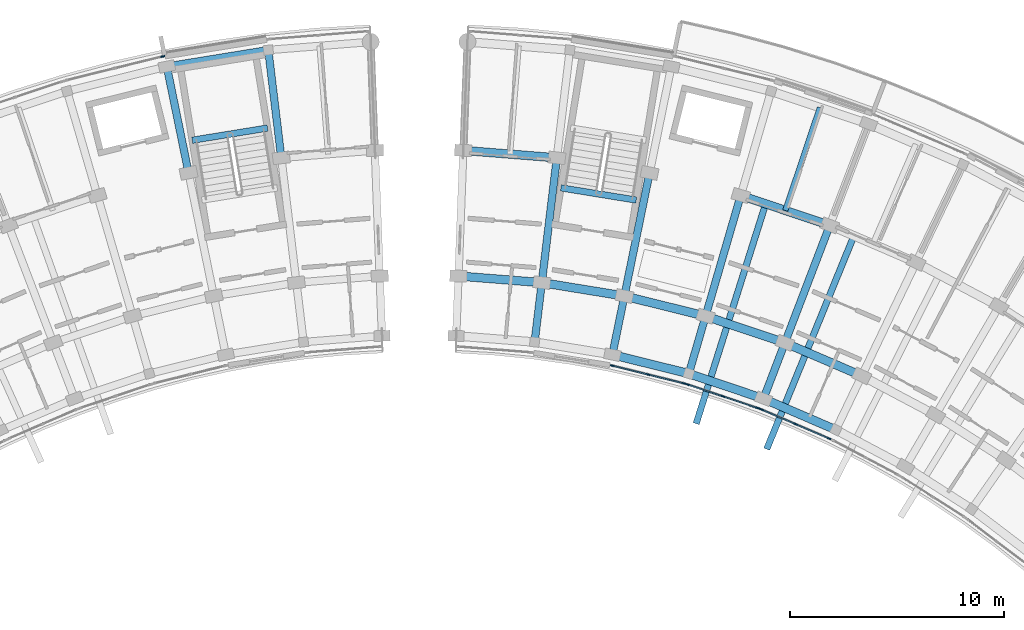
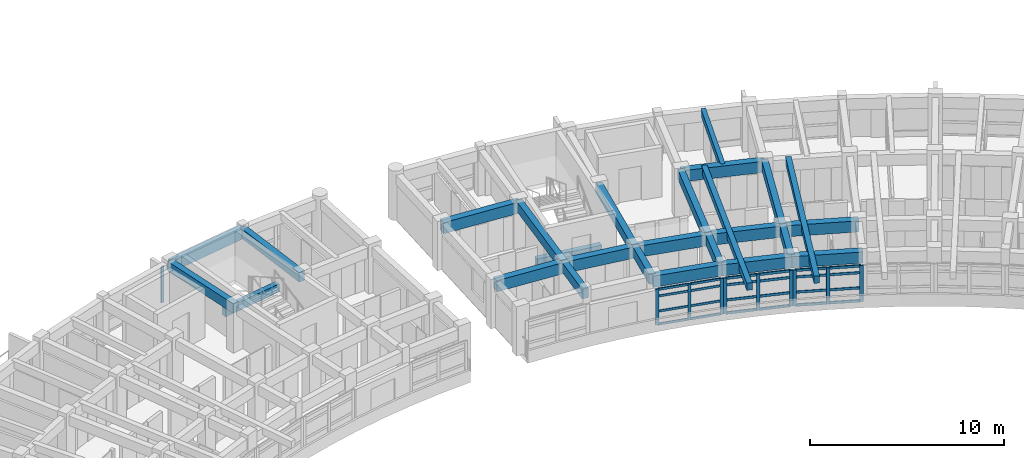
# One storey, part 7 of 55: 34 members, 26 beams, 4 elements without a shape of their own.
"""IFC4 building model written with IfcOpenShell, lengths in metres."""

from ifc_helpers import new_model, si_unit, direction, frame, origin, origin_2d, place, context, subcontext, project, spatial, rectangle, extrude, material, material_profile, profile_set, type_object, element, aggregate, save


model = new_model("IFC4")

# Units and contexts
model_context = context("Model", 3, precision=1e-05, world=origin(), true_north=direction((0.0, 1.0)))
body_context = subcontext(model_context, "Body", "Model", "MODEL_VIEW")
ifc_project = project(units=[si_unit("LENGTHUNIT", "METRE"), si_unit("AREAUNIT", "SQUARE_METRE"), si_unit("VOLUMEUNIT", "CUBIC_METRE"), si_unit("PLANEANGLEUNIT", "RADIAN"), si_unit("MASSUNIT", "GRAM", prefix="KILO")], contexts=[model_context])

# Site, building, storey
site_placement = place(None, origin())
site = spatial("IfcSite", under=ifc_project, at=site_placement, CompositionType="ELEMENT")
building_placement = place(site_placement, origin())
building = spatial("IfcBuilding", under=site, at=building_placement, Name="Zimvara Arc Housing Community", CompositionType="ELEMENT")
storey_placement = place(building_placement, frame((0.0, 0.0, 14.300048828125)))
storey = spatial("IfcBuildingStorey", under=building, at=storey_placement, Name="L04", CompositionType="ELEMENT", Elevation=14.300048828125)

# Beams
ifc_material_1 = material(Name="Concrete C40/50", Category="concrete")
ifc_material_profile_1 = material_profile(ifc_material_1, rectangle(XDim=0.25, YDim=0.449951171875, at=origin_2d()), Name="RC 250x450")
ifc_profile_set_1 = profile_set([ifc_material_profile_1], Name="Concrete C40/50")
beam_type_1 = type_object("IfcBeamType", Name="BM-RC-250x450", PredefinedType="JOIST", material=ifc_profile_set_1)
beam_1_placement = place(storey_placement, frame((62.1279296875, 95.453369140625, 2.635009765625), z_axis=(0.318607669836, 0.947886677152, 0.0), x_axis=(-0.947886677152, 0.318607669836, 0.0)))
element("IfcBeam", 1, at=beam_1_placement, inside=storey, type_object=beam_type_1, Name="bm:blkB:L04:joist:b3", PredefinedType="JOIST", context=body_context, shape_type="SweptSolid", body=[
    extrude(rectangle(XDim=0.25, YDim=0.449951171875, at=origin_2d()), origin(), (0.0, 0.0, 1.0), 5.07568359375),
])
ifc_material_2 = material(Name="Concrete C40/50", Category="concrete")
ifc_material_profile_2 = material_profile(ifc_material_2, rectangle(XDim=0.300048828125, YDim=0.449951171875, at=origin_2d()), Name="RC 300x450")
ifc_profile_set_2 = profile_set([ifc_material_profile_2], Name="Concrete C40/50")
beam_type_2 = type_object("IfcBeamType", Name="BM-RC-300x450", PredefinedType="JOIST", material=ifc_profile_set_2)
beam_2_placement = place(storey_placement, frame((61.22314453125, 95.795654296875, 2.6650390625), z_axis=(-0.301541693036, -0.953452991689, 0.0), x_axis=(0.953452991689, -0.301541693036, 0.0)))
element("IfcBeam", 2, at=beam_2_placement, inside=storey, type_object=beam_type_2, Name="bm:blkB:L04:cant_in:b3", PredefinedType="JOIST", context=body_context, shape_type="SweptSolid", body=[
    extrude(rectangle(XDim=0.300048828125, YDim=0.449951171875, at=origin_2d()), origin(), (0.0, 0.0, 1.0), 10.820068359375),
])
beam_3_placement = place(storey_placement, frame((65.354248046875, 94.301025390625, 2.6650390625), z_axis=(-0.378332343777, -0.92566983188, 0.0), x_axis=(0.92566983188, -0.378332343777, 0.0)))
element("IfcBeam", 3, at=beam_3_placement, inside=storey, type_object=beam_type_2, Name="bm:blkB:L04:cant_in:b4", PredefinedType="JOIST", context=body_context, shape_type="SweptSolid", body=[
    extrude(rectangle(XDim=0.300048828125, YDim=0.449951171875, at=origin_2d()), origin(), (0.0, 0.0, 1.0), 10.81982421875),
])
ifc_material_3 = material(Name="Concrete C40/50", Category="concrete")
ifc_material_profile_3 = material_profile(ifc_material_3, rectangle(XDim=0.300048828125, YDim=0.5, at=origin_2d()), Name="RC 300x500")
ifc_profile_set_3 = profile_set([ifc_material_profile_3], Name="Concrete C40/50")
beam_type_3 = type_object("IfcBeamType", Name="BM-RC-300x500", PredefinedType="BEAM", material=ifc_profile_set_3)
for number, where, z_axis, x_axis, name in (
    (4, (37.911865234375, 99.307373046875, 1.300048828125), (-0.987080057935, -0.160227835371, 0.0), (0.160227835371, -0.987080057935, 0.0), "bm:stair_trim:ST-A2:L04:mid"),
    (5, (55.15771484375, 95.93701171875, -0.25), (-0.987080057935, 0.160227835371, 0.0), (-0.160227835371, -0.987080057935, 0.0), "bm:stair_trim:ST-B1:L04:near"),
):
    element("IfcBeam", number, at=place(storey_placement, frame(where, z_axis=z_axis, x_axis=x_axis)), inside=storey, type_object=beam_type_3, Name=name, PredefinedType="BEAM", context=body_context, shape_type="SweptSolid", body=[
        extrude(rectangle(XDim=0.300048828125, YDim=0.5, at=origin_2d()), origin(), (0.0, 0.0, 1.0), 3.570068359375),
    ])
ifc_material_4 = material(Name="Concrete C40/50", Category="concrete")
ifc_material_profile_4 = material_profile(ifc_material_4, rectangle(XDim=0.35009765625, YDim=0.60009765625, at=origin_2d()), Name="RC 350x600")
ifc_profile_set_4 = profile_set([ifc_material_profile_4], Name="Concrete C40/50")
beam_type_4 = type_object("IfcBeamType", Name="BM-RC-350x600", PredefinedType="BEAM", material=ifc_profile_set_4)
beam_4_placement = place(storey_placement, frame((34.21875, 97.208740234375, 2.56005859375), z_axis=(-0.200411962389, 0.97971171542, 0.0), x_axis=(-0.97971171542, -0.200411962389, 0.0)))
element("IfcBeam", 6, at=beam_4_placement, inside=storey, type_object=beam_type_4, Name="bm:blkA:L04:rad:b8:r23", PredefinedType="BEAM", context=body_context, shape_type="SweptSolid", body=[
    extrude(rectangle(XDim=0.35009765625, YDim=0.60009765625, at=origin_2d()), origin(), (0.0, 0.0, 1.0), 5.079833984375),
])
beam_5_placement = place(storey_placement, frame((38.55517578125, 97.91259765625, 2.56005859375), z_axis=(-0.119762990499, 0.99280251113, 0.0), x_axis=(-0.99280251113, -0.119762990499, 0.0)))
element("IfcBeam", 7, at=beam_5_placement, inside=storey, type_object=beam_type_4, Name="bm:blkA:L04:rad:b9:r23", PredefinedType="BEAM", context=body_context, shape_type="SweptSolid", body=[
    extrude(rectangle(XDim=0.35009765625, YDim=0.60009765625, at=origin_2d()), origin(), (0.0, 0.0, 1.0), 5.080078125),
])
beam_6_placement = place(storey_placement, frame((50.405029296875, 89.295166015625, 2.56005859375), z_axis=(0.119719398078, 0.992807768767, 0.0), x_axis=(-0.992807768767, 0.119719398078, 0.0)))
element("IfcBeam", 8, at=beam_6_placement, inside=storey, type_object=beam_type_4, Name="bm:blkB:L04:rad:b1:r01", PredefinedType="BEAM", context=body_context, shape_type="SweptSolid", body=[
    extrude(rectangle(XDim=0.35009765625, YDim=0.60009765625, at=origin_2d()), origin(), (0.0, 0.0, 1.0), 2.7998046875),
])
beam_7_placement = place(storey_placement, frame((50.740234375, 92.074951171875, 2.56005859375), z_axis=(0.119827921695, 0.992794676246, 0.0), x_axis=(-0.992794676246, 0.119827921695, 0.0)))
element("IfcBeam", 9, at=beam_7_placement, inside=storey, type_object=beam_type_4, Name="bm:blkB:L04:rad:b1:r12", PredefinedType="BEAM", context=body_context, shape_type="SweptSolid", body=[
    extrude(rectangle(XDim=0.35009765625, YDim=0.60009765625, at=origin_2d()), origin(), (0.0, 0.0, 1.0), 5.880126953125),
])
beam_8_placement = place(storey_placement, frame((54.041748046875, 88.704833984375, 2.56005859375), z_axis=(0.20037341071, 0.979719600845, 0.0), x_axis=(-0.979719600845, 0.20037341071, 0.0)))
element("IfcBeam", 10, at=beam_8_placement, inside=storey, type_object=beam_type_4, Name="bm:blkB:L04:rad:b2:r01", PredefinedType="BEAM", context=body_context, shape_type="SweptSolid", body=[
    extrude(rectangle(XDim=0.35009765625, YDim=0.60009765625, at=origin_2d()), origin(), (0.0, 0.0, 1.0), 2.800048828125),
])
beam_9_placement = place(storey_placement, frame((54.602783203125, 91.447998046875, 2.56005859375), z_axis=(0.200417973989, 0.979710485655, 0.0), x_axis=(-0.979710485655, 0.200417973989, 0.0)))
element("IfcBeam", 11, at=beam_9_placement, inside=storey, type_object=beam_type_4, Name="bm:blkB:L04:rad:b2:r12", PredefinedType="BEAM", context=body_context, shape_type="SweptSolid", body=[
    extrude(rectangle(XDim=0.35009765625, YDim=0.60009765625, at=origin_2d()), origin(), (0.0, 0.0, 1.0), 5.880126953125),
])
beam_10_placement = place(storey_placement, frame((57.618408203125, 87.819580078125, 2.56005859375), z_axis=(0.279635015525, 0.960106378529, 0.0), x_axis=(-0.960106378529, 0.279635015525, 0.0)))
element("IfcBeam", 12, at=beam_10_placement, inside=storey, type_object=beam_type_4, Name="bm:blkB:L04:rad:b3:r01", PredefinedType="BEAM", context=body_context, shape_type="SweptSolid", body=[
    extrude(rectangle(XDim=0.35009765625, YDim=0.60009765625, at=origin_2d()), origin(), (0.0, 0.0, 1.0), 2.800048828125),
])
beam_11_placement = place(storey_placement, frame((58.4013671875, 90.5078125, 2.56005859375), z_axis=(0.27967473749, 0.960094808449, 0.0), x_axis=(-0.960094808449, 0.27967473749, 0.0)))
element("IfcBeam", 13, at=beam_11_placement, inside=storey, type_object=beam_type_4, Name="bm:blkB:L04:rad:b3:r12", PredefinedType="BEAM", context=body_context, shape_type="SweptSolid", body=[
    extrude(rectangle(XDim=0.35009765625, YDim=0.60009765625, at=origin_2d()), origin(), (0.0, 0.0, 1.0), 5.880126953125),
])
beam_12_placement = place(storey_placement, frame((61.11083984375, 86.645751953125, 2.56005859375), z_axis=(0.357079289134, 0.934074076972, 0.0), x_axis=(-0.934074076972, 0.357079289134, 0.0)))
element("IfcBeam", 14, at=beam_12_placement, inside=storey, type_object=beam_type_4, Name="bm:blkB:L04:rad:b4:r01", PredefinedType="BEAM", context=body_context, shape_type="SweptSolid", body=[
    extrude(rectangle(XDim=0.35009765625, YDim=0.60009765625, at=origin_2d()), origin(), (0.0, 0.0, 1.0), 2.7998046875),
])
beam_13_placement = place(storey_placement, frame((62.110595703125, 89.260986328125, 2.56005859375), z_axis=(0.357036247742, 0.934090529766, 0.0), x_axis=(-0.934090529766, 0.357036247742, 0.0)))
element("IfcBeam", 15, at=beam_13_placement, inside=storey, type_object=beam_type_4, Name="bm:blkB:L04:rad:b4:r12", PredefinedType="BEAM", context=body_context, shape_type="SweptSolid", body=[
    extrude(rectangle(XDim=0.35009765625, YDim=0.60009765625, at=origin_2d()), origin(), (0.0, 0.0, 1.0), 5.8798828125),
])
ifc_material_5 = material(Name="Concrete C40/50", Category="concrete")
ifc_material_profile_5 = material_profile(ifc_material_5, rectangle(XDim=0.35009765625, YDim=0.64990234375, at=origin_2d()), Name="RC 350x650")
ifc_profile_set_5 = profile_set([ifc_material_profile_5], Name="Concrete C40/50")
beam_type_5 = type_object("IfcBeamType", Name="BM-RC-350x650", PredefinedType="BEAM", material=ifc_profile_set_5)
beam_14_placement = place(storey_placement, frame((33.20068359375, 102.185546875, 2.534912109375), z_axis=(0.987076839731, 0.160247659784, 0.0), x_axis=(-0.160247659784, 0.987076839731, 0.0)))
element("IfcBeam", 16, at=beam_14_placement, inside=storey, type_object=beam_type_5, Name="bm:blkA:L04:chord:r3:b8", PredefinedType="BEAM", context=body_context, shape_type="SweptSolid", body=[
    extrude(rectangle(XDim=0.35009765625, YDim=0.64990234375, at=origin_2d()), origin(), (0.0, 0.0, 1.0), 4.808349609375),
])
ifc_material_6 = material(Name="Concrete C40/50", Category="concrete")
ifc_material_profile_6 = material_profile(ifc_material_6, rectangle(XDim=0.39990234375, YDim=0.699951171875, at=origin_2d()), Name="RC 400x700")
ifc_profile_set_6 = profile_set([ifc_material_profile_6], Name="Concrete C40/50")
beam_type_6 = type_object("IfcBeamType", Name="BM-RC-400x700", PredefinedType="BEAM", material=ifc_profile_set_6)
beam_15_placement = place(storey_placement, frame((54.041748046875, 88.704833984375, 2.510009765625), z_axis=(0.970708886215, -0.240258731837, 0.0), x_axis=(0.240258731837, 0.970708886215, 0.0)))
element("IfcBeam", 17, at=beam_15_placement, inside=storey, type_object=beam_type_6, Name="bm:blkB:L04:chord:r0:b2", PredefinedType="BEAM", context=body_context, shape_type="SweptSolid", body=[
    extrude(rectangle(XDim=0.39990234375, YDim=0.699951171875, at=origin_2d()), origin(), (0.0, 0.0, 1.0), 3.6845703125),
])
for number, where, z_axis, x_axis, name in (
    (18, (57.618408203125, 87.819580078125, 2.510009765625), (0.94789181932, -0.31859237101, 0.0), (0.31859237101, 0.94789181932, 0.0), "bm:blkB:L04:chord:r0:b3"),
    (19, (61.11083984375, 86.645751953125, 2.510009765625), (0.918705736243, -0.394942742932, 0.0), (0.394942742932, 0.918705736243, 0.0), "bm:blkB:L04:chord:r0:b4"),
):
    element("IfcBeam", number, at=place(storey_placement, frame(where, z_axis=z_axis, x_axis=x_axis)), inside=storey, type_object=beam_type_6, Name=name, PredefinedType="BEAM", context=body_context, shape_type="SweptSolid", body=[
        extrude(rectangle(XDim=0.39990234375, YDim=0.699951171875, at=origin_2d()), origin(), (0.0, 0.0, 1.0), 3.684326171875),
    ])
beam_16_placement = place(storey_placement, frame((46.839599609375, 92.384765625, 2.510009765625), z_axis=(0.99686054795, -0.079177319606, 0.0), x_axis=(0.079177319606, 0.99686054795, 0.0)))
element("IfcBeam", 20, at=beam_16_placement, inside=storey, type_object=beam_type_6, Name="bm:blkB:L04:chord:r1:b0", PredefinedType="BEAM", context=body_context, shape_type="SweptSolid", body=[
    extrude(rectangle(XDim=0.39990234375, YDim=0.699951171875, at=origin_2d()), origin(), (0.0, 0.0, 1.0), 3.912841796875),
])
for number, where, z_axis, x_axis, name in (
    (21, (50.740234375, 92.074951171875, 2.510009765625), (0.987081487371, -0.160219029111, 0.0), (0.160219029111, 0.987081487371, 0.0), "bm:blkB:L04:chord:r1:b1"),
    (22, (54.602783203125, 91.447998046875, 2.510009765625), (0.970708671682, -0.240259598602, 0.0), (0.240259598602, 0.970708671682, 0.0), "bm:blkB:L04:chord:r1:b2"),
    (23, (58.4013671875, 90.5078125, 2.510009765625), (0.947881689069, -0.31862250945, 0.0), (0.31862250945, 0.947881689069, 0.0), "bm:blkB:L04:chord:r1:b3"),
    (24, (62.110595703125, 89.260986328125, 2.510009765625), (0.91873144242, -0.394882940514, 0.0), (0.394882940514, 0.91873144242, 0.0), "bm:blkB:L04:chord:r1:b4"),
):
    element("IfcBeam", number, at=place(storey_placement, frame(where, z_axis=z_axis, x_axis=x_axis)), inside=storey, type_object=beam_type_6, Name=name, PredefinedType="BEAM", context=body_context, shape_type="SweptSolid", body=[
        extrude(rectangle(XDim=0.39990234375, YDim=0.699951171875, at=origin_2d()), origin(), (0.0, 0.0, 1.0), 3.9130859375),
    ])
beam_17_placement = place(storey_placement, frame((47.065185546875, 98.26025390625, 2.510009765625), z_axis=(0.996864209836, -0.079131202119, 0.0), x_axis=(0.079131202119, 0.996864209836, 0.0)))
element("IfcBeam", 25, at=beam_17_placement, inside=storey, type_object=beam_type_6, Name="bm:blkB:L04:chord:r2:b0", PredefinedType="BEAM", context=body_context, shape_type="SweptSolid", body=[
    extrude(rectangle(XDim=0.39990234375, YDim=0.699951171875, at=origin_2d()), origin(), (0.0, 0.0, 1.0), 4.393310546875),
])
beam_18_placement = place(storey_placement, frame((60.0458984375, 96.1533203125, 2.510009765625), z_axis=(0.947868796036, -0.318660862832, 0.0), x_axis=(0.318660862832, 0.947868796036, 0.0)))
element("IfcBeam", 26, at=beam_18_placement, inside=storey, type_object=beam_type_6, Name="bm:blkB:L04:chord:r2:b3", PredefinedType="BEAM", context=body_context, shape_type="SweptSolid", body=[
    extrude(rectangle(XDim=0.39990234375, YDim=0.699951171875, at=origin_2d()), origin(), (0.0, 0.0, 1.0), 4.39306640625),
])

# Curtain wall, members
ifc_material_7 = material(Name="Anodised Aluminium AW-6063", Category="aluminium")
curtain_wall_type_1 = type_object("IfcCurtainWallType", Name="CW-SYS-08", PredefinedType="USERDEFINED", material=ifc_material_7)
curtain_wall_1_placement = place(storey_placement, origin())
curtain_wall_1 = element("IfcCurtainWall", 27, at=curtain_wall_1_placement, inside=storey, type_object=curtain_wall_type_1, Name="cw:blkB:L04:in:b2", ObjectType="CURTAIN WALL", PredefinedType="USERDEFINED")
ifc_material_8 = material(Name="Anodised Aluminium AW-6063", Category="aluminium")
ifc_material_profile_7 = material_profile(ifc_material_8, rectangle(XDim=0.06494140625, YDim=0.179931640625, at=origin_2d()), Name="ALU 65x180")
ifc_profile_set_7 = profile_set([ifc_material_profile_7], Name="Anodised Aluminium AW-6063")
member_type_1 = type_object("IfcMemberType", Name="CWM-65x150", PredefinedType="MULLION", material=ifc_profile_set_7)
member_1_placement = place(storey_placement, frame((54.03125, 88.192626953125, 0.0), z_axis=(0.0, 0.0, 1.0), x_axis=(0.240227815706, 0.970716537698, 0.0)))
member_1 = element("IfcMember", 28, at=member_1_placement, type_object=member_type_1, Name="CW08 mullion 1", PredefinedType="MULLION", context=body_context, shape_type="SweptSolid", body=[
    extrude(rectangle(XDim=0.06494140625, YDim=0.179931640625, at=origin_2d()), origin(), (0.0, 0.0, 1.0), 2.25),
])
member_2_placement = place(storey_placement, frame((55.7099609375, 87.77734375, 0.0), z_axis=(0.0, 0.0, 1.0), x_axis=(0.240227815706, 0.970716537698, 0.0)))
member_2 = element("IfcMember", 29, at=member_2_placement, type_object=member_type_1, Name="CW08 mullion 2", PredefinedType="MULLION", context=body_context, shape_type="SweptSolid", body=[
    extrude(rectangle(XDim=0.06494140625, YDim=0.179931640625, at=origin_2d()), origin(), (0.0, 0.0, 1.0), 2.25),
])
member_3_placement = place(storey_placement, frame((57.388671875, 87.36181640625, 0.0), z_axis=(0.0, 0.0, 1.0), x_axis=(0.240227815706, 0.970716537698, 0.0)))
member_3 = element("IfcMember", 30, at=member_3_placement, type_object=member_type_1, Name="CW08 mullion 3", PredefinedType="MULLION", context=body_context, shape_type="SweptSolid", body=[
    extrude(rectangle(XDim=0.06494140625, YDim=0.179931640625, at=origin_2d()), origin(), (0.0, 0.0, 1.0), 2.25),
])

# Curtain wall, member
ifc_material_9 = material(Name="Anodised Aluminium AW-6063", Category="aluminium")
curtain_wall_type_2 = type_object("IfcCurtainWallType", Name="CW-SYS-07", PredefinedType="USERDEFINED", material=ifc_material_9)
curtain_wall_2_placement = place(storey_placement, origin())
curtain_wall_2 = element("IfcCurtainWall", 31, at=curtain_wall_2_placement, inside=storey, type_object=curtain_wall_type_2, Name="cw:blkA:L04:out:b7", ObjectType="CURTAIN WALL", PredefinedType="USERDEFINED")
ifc_material_10 = material(Name="Anodised Aluminium AW-6063", Category="aluminium")
ifc_material_profile_8 = material_profile(ifc_material_10, rectangle(XDim=0.06494140625, YDim=0.195068359375, at=origin_2d()), Name="ALU 65x195")
ifc_profile_set_8 = profile_set([ifc_material_profile_8], Name="Anodised Aluminium AW-6063")
member_type_2 = type_object("IfcMemberType", Name="CWM-65x180", PredefinedType="MULLION", material=ifc_profile_set_8)
member_4_placement = place(storey_placement, frame((33.0107421875, 102.6533203125, 0.0), z_axis=(0.0, 0.0, 1.0), x_axis=(-0.240229711131, 0.970716068627, 0.0)))
member_4 = element("IfcMember", 32, at=member_4_placement, type_object=member_type_2, Name="CW07 mullion 3", PredefinedType="MULLION", context=body_context, shape_type="SweptSolid", body=[
    extrude(rectangle(XDim=0.06494140625, YDim=0.195068359375, at=origin_2d()), origin(), (0.0, 0.0, 1.0), 2.25),
])
aggregate(curtain_wall_2, [member_4])

# Curtain wall, members
ifc_material_11 = material(Name="Anodised Aluminium AW-6063", Category="aluminium")
curtain_wall_type_3 = type_object("IfcCurtainWallType", Name="CW-SYS-01", PredefinedType="USERDEFINED", material=ifc_material_11)
curtain_wall_3_placement = place(storey_placement, origin())
curtain_wall_3 = element("IfcCurtainWall", 33, at=curtain_wall_3_placement, inside=storey, type_object=curtain_wall_type_3, Name="cw:blkB:L04:in:b3", ObjectType="CURTAIN WALL", PredefinedType="USERDEFINED")
member_5_placement = place(storey_placement, frame((57.566162109375, 87.31005859375, 0.0), z_axis=(0.0, 0.0, 1.0), x_axis=(0.318630249383, 0.94787908732, 0.0)))
member_5 = element("IfcMember", 34, at=member_5_placement, type_object=member_type_2, Name="CW01 mullion 1", PredefinedType="MULLION", context=body_context, shape_type="SweptSolid", body=[
    extrude(rectangle(XDim=0.06494140625, YDim=0.195068359375, at=origin_2d()), origin(), (0.0, 0.0, 1.0), 2.25),
])
member_6_placement = place(storey_placement, frame((59.205322265625, 86.759033203125, 0.0), z_axis=(0.0, 0.0, 1.0), x_axis=(0.318630249383, 0.94787908732, 0.0)))
member_6 = element("IfcMember", 35, at=member_6_placement, type_object=member_type_2, Name="CW01 mullion 2", PredefinedType="MULLION", context=body_context, shape_type="SweptSolid", body=[
    extrude(rectangle(XDim=0.06494140625, YDim=0.195068359375, at=origin_2d()), origin(), (0.0, 0.0, 1.0), 2.25),
])
member_7_placement = place(storey_placement, frame((60.844482421875, 86.2080078125, 0.0), z_axis=(0.0, 0.0, 1.0), x_axis=(0.318630249383, 0.94787908732, 0.0)))
member_7 = element("IfcMember", 36, at=member_7_placement, type_object=member_type_2, Name="CW01 mullion 3", PredefinedType="MULLION", context=body_context, shape_type="SweptSolid", body=[
    extrude(rectangle(XDim=0.06494140625, YDim=0.195068359375, at=origin_2d()), origin(), (0.0, 0.0, 1.0), 2.25),
])

ifc_material_12 = material(Name="Anodised Aluminium AW-6063", Category="aluminium")
curtain_wall_type_4 = type_object("IfcCurtainWallType", Name="CW-SYS-03", PredefinedType="USERDEFINED", material=ifc_material_12)
curtain_wall_4_placement = place(storey_placement, origin())
curtain_wall_4 = element("IfcCurtainWall", 37, at=curtain_wall_4_placement, inside=storey, type_object=curtain_wall_type_4, Name="cw:blkB:L04:in:b4", ObjectType="CURTAIN WALL", PredefinedType="USERDEFINED")
member_8_placement = place(storey_placement, frame((61.01708984375, 86.14208984375, 0.0), z_axis=(0.0, 0.0, 1.0), x_axis=(0.394904493375, 0.918722178415, 0.0)))
member_8 = element("IfcMember", 38, at=member_8_placement, type_object=member_type_2, Name="CW03 mullion 1", PredefinedType="MULLION", context=body_context, shape_type="SweptSolid", body=[
    extrude(rectangle(XDim=0.06494140625, YDim=0.195068359375, at=origin_2d()), origin(), (0.0, 0.0, 1.0), 2.25),
])
member_9_placement = place(storey_placement, frame((62.60595703125, 85.459228515625, 0.0), z_axis=(0.0, 0.0, 1.0), x_axis=(0.394904493375, 0.918722178415, 0.0)))
member_9 = element("IfcMember", 39, at=member_9_placement, type_object=member_type_2, Name="CW03 mullion 2", PredefinedType="MULLION", context=body_context, shape_type="SweptSolid", body=[
    extrude(rectangle(XDim=0.06494140625, YDim=0.195068359375, at=origin_2d()), origin(), (0.0, 0.0, 1.0), 2.25),
])
member_10_placement = place(storey_placement, frame((64.194580078125, 84.7763671875, 0.0), z_axis=(0.0, 0.0, 1.0), x_axis=(0.394904493375, 0.918722178415, 0.0)))
member_10 = element("IfcMember", 40, at=member_10_placement, type_object=member_type_2, Name="CW03 mullion 3", PredefinedType="MULLION", context=body_context, shape_type="SweptSolid", body=[
    extrude(rectangle(XDim=0.06494140625, YDim=0.195068359375, at=origin_2d()), origin(), (0.0, 0.0, 1.0), 2.25),
])

# Member
ifc_material_13 = material(Name="Anodised Aluminium AW-6063", Category="aluminium")
ifc_material_profile_9 = material_profile(ifc_material_13, rectangle(XDim=0.06494140625, YDim=0.139892578125, at=origin_2d()), Name="ALU 65x140")
ifc_profile_set_9 = profile_set([ifc_material_profile_9], Name="Anodised Aluminium AW-6063")
member_type_3 = type_object("IfcMemberType", Name="CWT-65x120", PredefinedType="USERDEFINED", material=ifc_profile_set_9)
member_11_placement = place(storey_placement, frame((54.06298828125, 88.184814453125, 0.032470703125), z_axis=(0.970735018799, -0.240153124645, 0.0), x_axis=(0.240153124645, 0.970735018799, 0.0)))
member_11 = element("IfcMember", 41, at=member_11_placement, type_object=member_type_3, Name="CW08 transom 1.1", ObjectType="TRANSOM", PredefinedType="USERDEFINED", context=body_context, shape_type="SweptSolid", body=[
    extrude(rectangle(XDim=0.06494140625, YDim=0.139892578125, at=origin_2d()), origin(), (0.0, 0.0, 1.0), 1.6640625),
])

member_12_placement = place(storey_placement, frame((54.06298828125, 88.184814453125, 0.849853515625), z_axis=(0.970735018799, -0.240153124645, 0.0), x_axis=(0.240153124645, 0.970735018799, 0.0)))
member_12 = element("IfcMember", 42, at=member_12_placement, type_object=member_type_3, Name="CW08 transom 1.2", ObjectType="TRANSOM", PredefinedType="USERDEFINED", context=body_context, shape_type="SweptSolid", body=[
    extrude(rectangle(XDim=0.06494140625, YDim=0.139892578125, at=origin_2d()), origin(), (0.0, 0.0, 1.0), 1.6640625),
])

member_13_placement = place(storey_placement, frame((54.06298828125, 88.184814453125, 1.800048828125), z_axis=(0.970735018799, -0.240153124645, 0.0), x_axis=(0.240153124645, 0.970735018799, 0.0)))
member_13 = element("IfcMember", 43, at=member_13_placement, type_object=member_type_3, Name="CW08 transom 1.3", ObjectType="TRANSOM", PredefinedType="USERDEFINED", context=body_context, shape_type="SweptSolid", body=[
    extrude(rectangle(XDim=0.06494140625, YDim=0.139892578125, at=origin_2d()), origin(), (0.0, 0.0, 1.0), 1.6640625),
])

member_14_placement = place(storey_placement, frame((54.06298828125, 88.184814453125, 2.217529296875), z_axis=(0.970735018799, -0.240153124645, 0.0), x_axis=(0.240153124645, 0.970735018799, 0.0)))
member_14 = element("IfcMember", 44, at=member_14_placement, type_object=member_type_3, Name="CW08 transom 1.4", ObjectType="TRANSOM", PredefinedType="USERDEFINED", context=body_context, shape_type="SweptSolid", body=[
    extrude(rectangle(XDim=0.06494140625, YDim=0.139892578125, at=origin_2d()), origin(), (0.0, 0.0, 1.0), 1.6640625),
])

member_15_placement = place(storey_placement, frame((55.74169921875, 87.76953125, 0.032470703125), z_axis=(0.970700809973, -0.24029135964, 0.0), x_axis=(0.24029135964, 0.970700809973, 0.0)))
member_15 = element("IfcMember", 45, at=member_15_placement, type_object=member_type_3, Name="CW08 transom 2.1", ObjectType="TRANSOM", PredefinedType="USERDEFINED", context=body_context, shape_type="SweptSolid", body=[
    extrude(rectangle(XDim=0.06494140625, YDim=0.139892578125, at=origin_2d()), origin(), (0.0, 0.0, 1.0), 1.664306640625),
])

member_16_placement = place(storey_placement, frame((55.74169921875, 87.76953125, 0.849853515625), z_axis=(0.970700809973, -0.24029135964, 0.0), x_axis=(0.24029135964, 0.970700809973, 0.0)))
member_16 = element("IfcMember", 46, at=member_16_placement, type_object=member_type_3, Name="CW08 transom 2.2", ObjectType="TRANSOM", PredefinedType="USERDEFINED", context=body_context, shape_type="SweptSolid", body=[
    extrude(rectangle(XDim=0.06494140625, YDim=0.139892578125, at=origin_2d()), origin(), (0.0, 0.0, 1.0), 1.664306640625),
])

member_17_placement = place(storey_placement, frame((55.74169921875, 87.76953125, 1.800048828125), z_axis=(0.970700809973, -0.24029135964, 0.0), x_axis=(0.24029135964, 0.970700809973, 0.0)))
member_17 = element("IfcMember", 47, at=member_17_placement, type_object=member_type_3, Name="CW08 transom 2.3", ObjectType="TRANSOM", PredefinedType="USERDEFINED", context=body_context, shape_type="SweptSolid", body=[
    extrude(rectangle(XDim=0.06494140625, YDim=0.139892578125, at=origin_2d()), origin(), (0.0, 0.0, 1.0), 1.664306640625),
])

member_18_placement = place(storey_placement, frame((55.74169921875, 87.76953125, 2.217529296875), z_axis=(0.970700809973, -0.24029135964, 0.0), x_axis=(0.24029135964, 0.970700809973, 0.0)))
member_18 = element("IfcMember", 48, at=member_18_placement, type_object=member_type_3, Name="CW08 transom 2.4", ObjectType="TRANSOM", PredefinedType="USERDEFINED", context=body_context, shape_type="SweptSolid", body=[
    extrude(rectangle(XDim=0.06494140625, YDim=0.139892578125, at=origin_2d()), origin(), (0.0, 0.0, 1.0), 1.664306640625),
])

aggregate(curtain_wall_1, [member_1, member_2, member_3, member_11, member_12, member_13, member_14, member_15, member_16, member_17, member_18])

ifc_material_14 = material(Name="Anodised Aluminium AW-6063", Category="aluminium")
ifc_material_profile_10 = material_profile(ifc_material_14, rectangle(XDim=0.06494140625, YDim=0.155029296875, at=origin_2d()), Name="ALU 65x155")
ifc_profile_set_10 = profile_set([ifc_material_profile_10], Name="Anodised Aluminium AW-6063")
member_type_4 = type_object("IfcMemberType", Name="CWT-65x140", PredefinedType="USERDEFINED", material=ifc_profile_set_10)
member_19_placement = place(storey_placement, frame((57.596923828125, 87.2998046875, 0.032470703125), z_axis=(0.947888214723, -0.318603095385, 0.0), x_axis=(0.318603095385, 0.947888214723, 0.0)))
member_19 = element("IfcMember", 49, at=member_19_placement, type_object=member_type_4, Name="CW01 transom 1.1", ObjectType="TRANSOM", PredefinedType="USERDEFINED", context=body_context, shape_type="SweptSolid", body=[
    extrude(rectangle(XDim=0.06494140625, YDim=0.155029296875, at=origin_2d()), origin(), (0.0, 0.0, 1.0), 1.664306640625),
])

member_20_placement = place(storey_placement, frame((57.596923828125, 87.2998046875, 0.849853515625), z_axis=(0.947888214723, -0.318603095385, 0.0), x_axis=(0.318603095385, 0.947888214723, 0.0)))
member_20 = element("IfcMember", 50, at=member_20_placement, type_object=member_type_4, Name="CW01 transom 1.2", ObjectType="TRANSOM", PredefinedType="USERDEFINED", context=body_context, shape_type="SweptSolid", body=[
    extrude(rectangle(XDim=0.06494140625, YDim=0.155029296875, at=origin_2d()), origin(), (0.0, 0.0, 1.0), 1.664306640625),
])

member_21_placement = place(storey_placement, frame((57.596923828125, 87.2998046875, 1.800048828125), z_axis=(0.947888214723, -0.318603095385, 0.0), x_axis=(0.318603095385, 0.947888214723, 0.0)))
member_21 = element("IfcMember", 51, at=member_21_placement, type_object=member_type_4, Name="CW01 transom 1.3", ObjectType="TRANSOM", PredefinedType="USERDEFINED", context=body_context, shape_type="SweptSolid", body=[
    extrude(rectangle(XDim=0.06494140625, YDim=0.155029296875, at=origin_2d()), origin(), (0.0, 0.0, 1.0), 1.664306640625),
])

member_22_placement = place(storey_placement, frame((57.596923828125, 87.2998046875, 2.217529296875), z_axis=(0.947888214723, -0.318603095385, 0.0), x_axis=(0.318603095385, 0.947888214723, 0.0)))
member_22 = element("IfcMember", 52, at=member_22_placement, type_object=member_type_4, Name="CW01 transom 1.4", ObjectType="TRANSOM", PredefinedType="USERDEFINED", context=body_context, shape_type="SweptSolid", body=[
    extrude(rectangle(XDim=0.06494140625, YDim=0.155029296875, at=origin_2d()), origin(), (0.0, 0.0, 1.0), 1.664306640625),
])

member_23_placement = place(storey_placement, frame((59.236083984375, 86.748779296875, 0.032470703125), z_axis=(0.947888214723, -0.318603095385, 0.0), x_axis=(0.318603095385, 0.947888214723, 0.0)))
member_23 = element("IfcMember", 53, at=member_23_placement, type_object=member_type_4, Name="CW01 transom 2.1", ObjectType="TRANSOM", PredefinedType="USERDEFINED", context=body_context, shape_type="SweptSolid", body=[
    extrude(rectangle(XDim=0.06494140625, YDim=0.155029296875, at=origin_2d()), origin(), (0.0, 0.0, 1.0), 1.664306640625),
])

member_24_placement = place(storey_placement, frame((59.236083984375, 86.748779296875, 0.849853515625), z_axis=(0.947888214723, -0.318603095385, 0.0), x_axis=(0.318603095385, 0.947888214723, 0.0)))
member_24 = element("IfcMember", 54, at=member_24_placement, type_object=member_type_4, Name="CW01 transom 2.2", ObjectType="TRANSOM", PredefinedType="USERDEFINED", context=body_context, shape_type="SweptSolid", body=[
    extrude(rectangle(XDim=0.06494140625, YDim=0.155029296875, at=origin_2d()), origin(), (0.0, 0.0, 1.0), 1.664306640625),
])

member_25_placement = place(storey_placement, frame((59.236083984375, 86.748779296875, 1.800048828125), z_axis=(0.947888214723, -0.318603095385, 0.0), x_axis=(0.318603095385, 0.947888214723, 0.0)))
member_25 = element("IfcMember", 55, at=member_25_placement, type_object=member_type_4, Name="CW01 transom 2.3", ObjectType="TRANSOM", PredefinedType="USERDEFINED", context=body_context, shape_type="SweptSolid", body=[
    extrude(rectangle(XDim=0.06494140625, YDim=0.155029296875, at=origin_2d()), origin(), (0.0, 0.0, 1.0), 1.664306640625),
])

member_26_placement = place(storey_placement, frame((59.236083984375, 86.748779296875, 2.217529296875), z_axis=(0.947888214723, -0.318603095385, 0.0), x_axis=(0.318603095385, 0.947888214723, 0.0)))
member_26 = element("IfcMember", 56, at=member_26_placement, type_object=member_type_4, Name="CW01 transom 2.4", ObjectType="TRANSOM", PredefinedType="USERDEFINED", context=body_context, shape_type="SweptSolid", body=[
    extrude(rectangle(XDim=0.06494140625, YDim=0.155029296875, at=origin_2d()), origin(), (0.0, 0.0, 1.0), 1.664306640625),
])

aggregate(curtain_wall_3, [member_5, member_6, member_7, member_19, member_20, member_21, member_22, member_23, member_24, member_25, member_26])

member_27_placement = place(storey_placement, frame((61.047119140625, 86.12939453125, 0.032470703125), z_axis=(0.918673978315, -0.395016609229, 0.0), x_axis=(0.395016609229, 0.918673978315, 0.0)))
member_27 = element("IfcMember", 57, at=member_27_placement, type_object=member_type_4, Name="CW03 transom 1.1", ObjectType="TRANSOM", PredefinedType="USERDEFINED", context=body_context, shape_type="SweptSolid", body=[
    extrude(rectangle(XDim=0.06494140625, YDim=0.155029296875, at=origin_2d()), origin(), (0.0, 0.0, 1.0), 1.664306640625),
])

member_28_placement = place(storey_placement, frame((61.047119140625, 86.12939453125, 0.849853515625), z_axis=(0.918673978315, -0.395016609229, 0.0), x_axis=(0.395016609229, 0.918673978315, 0.0)))
member_28 = element("IfcMember", 58, at=member_28_placement, type_object=member_type_4, Name="CW03 transom 1.2", ObjectType="TRANSOM", PredefinedType="USERDEFINED", context=body_context, shape_type="SweptSolid", body=[
    extrude(rectangle(XDim=0.06494140625, YDim=0.155029296875, at=origin_2d()), origin(), (0.0, 0.0, 1.0), 1.664306640625),
])

member_29_placement = place(storey_placement, frame((61.047119140625, 86.12939453125, 1.800048828125), z_axis=(0.918673978315, -0.395016609229, 0.0), x_axis=(0.395016609229, 0.918673978315, 0.0)))
member_29 = element("IfcMember", 59, at=member_29_placement, type_object=member_type_4, Name="CW03 transom 1.3", ObjectType="TRANSOM", PredefinedType="USERDEFINED", context=body_context, shape_type="SweptSolid", body=[
    extrude(rectangle(XDim=0.06494140625, YDim=0.155029296875, at=origin_2d()), origin(), (0.0, 0.0, 1.0), 1.664306640625),
])

member_30_placement = place(storey_placement, frame((61.047119140625, 86.12939453125, 2.217529296875), z_axis=(0.918673978315, -0.395016609229, 0.0), x_axis=(0.395016609229, 0.918673978315, 0.0)))
member_30 = element("IfcMember", 60, at=member_30_placement, type_object=member_type_4, Name="CW03 transom 1.4", ObjectType="TRANSOM", PredefinedType="USERDEFINED", context=body_context, shape_type="SweptSolid", body=[
    extrude(rectangle(XDim=0.06494140625, YDim=0.155029296875, at=origin_2d()), origin(), (0.0, 0.0, 1.0), 1.664306640625),
])

member_31_placement = place(storey_placement, frame((62.6357421875, 85.4462890625, 0.032470703125), z_axis=(0.918727202972, -0.394892803832, 0.0), x_axis=(0.394892803832, 0.918727202972, 0.0)))
member_31 = element("IfcMember", 61, at=member_31_placement, type_object=member_type_4, Name="CW03 transom 2.1", ObjectType="TRANSOM", PredefinedType="USERDEFINED", context=body_context, shape_type="SweptSolid", body=[
    extrude(rectangle(XDim=0.06494140625, YDim=0.155029296875, at=origin_2d()), origin(), (0.0, 0.0, 1.0), 1.664306640625),
])

member_32_placement = place(storey_placement, frame((62.6357421875, 85.4462890625, 0.849853515625), z_axis=(0.918727202972, -0.394892803832, 0.0), x_axis=(0.394892803832, 0.918727202972, 0.0)))
member_32 = element("IfcMember", 62, at=member_32_placement, type_object=member_type_4, Name="CW03 transom 2.2", ObjectType="TRANSOM", PredefinedType="USERDEFINED", context=body_context, shape_type="SweptSolid", body=[
    extrude(rectangle(XDim=0.06494140625, YDim=0.155029296875, at=origin_2d()), origin(), (0.0, 0.0, 1.0), 1.664306640625),
])

member_33_placement = place(storey_placement, frame((62.6357421875, 85.4462890625, 1.800048828125), z_axis=(0.918727202972, -0.394892803832, 0.0), x_axis=(0.394892803832, 0.918727202972, 0.0)))
member_33 = element("IfcMember", 63, at=member_33_placement, type_object=member_type_4, Name="CW03 transom 2.3", ObjectType="TRANSOM", PredefinedType="USERDEFINED", context=body_context, shape_type="SweptSolid", body=[
    extrude(rectangle(XDim=0.06494140625, YDim=0.155029296875, at=origin_2d()), origin(), (0.0, 0.0, 1.0), 1.664306640625),
])

member_34_placement = place(storey_placement, frame((62.6357421875, 85.4462890625, 2.217529296875), z_axis=(0.918727202972, -0.394892803832, 0.0), x_axis=(0.394892803832, 0.918727202972, 0.0)))
member_34 = element("IfcMember", 64, at=member_34_placement, type_object=member_type_4, Name="CW03 transom 2.4", ObjectType="TRANSOM", PredefinedType="USERDEFINED", context=body_context, shape_type="SweptSolid", body=[
    extrude(rectangle(XDim=0.06494140625, YDim=0.155029296875, at=origin_2d()), origin(), (0.0, 0.0, 1.0), 1.664306640625),
])

aggregate(curtain_wall_4, [member_8, member_9, member_10, member_27, member_28, member_29, member_30, member_31, member_32, member_33, member_34])

save(model, "model.ifc")
